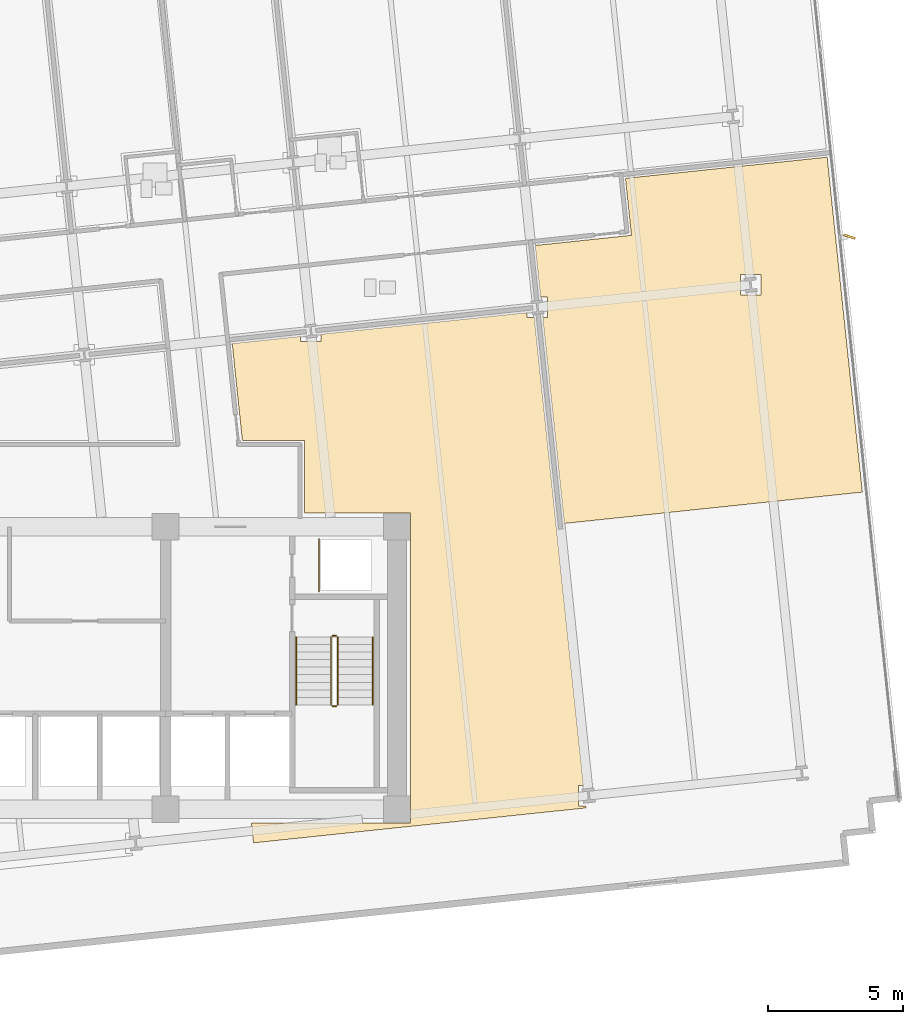
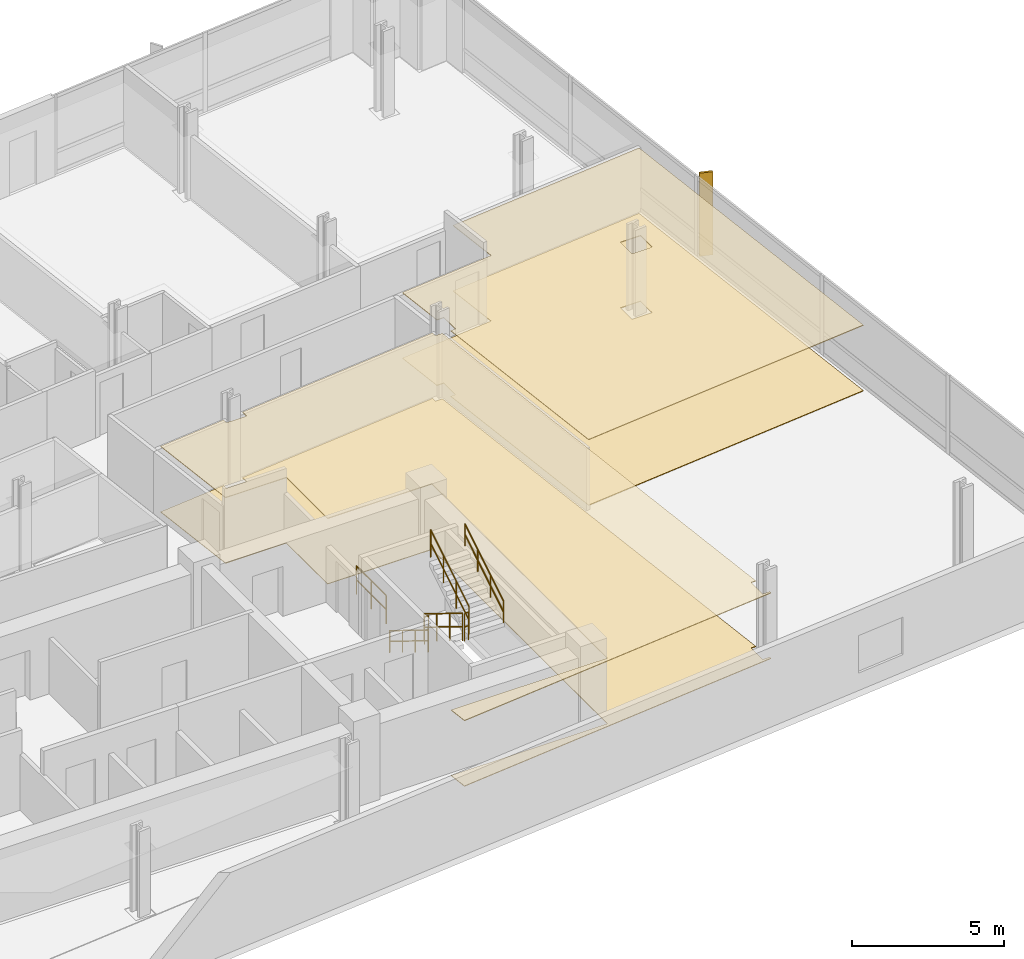
# One storey, part 15 of 17: 7 railings, 4 coverings, 1 shading device.
"""IFC4 building model written with IfcOpenShell, lengths in metres."""

from ifc_helpers import new_model, si_unit, direction, frame, origin, origin_2d, place, context, subcontext, project, spatial, polyline, rectangle, circle, outline, extrude, material, layer, layer_set, type_object, element, save


model = new_model("IFC4")

# Units and contexts
model_context = context("Model", 3, precision=1e-05, world=origin(), true_north=direction((0.0, 1.0)))
body_context = subcontext(model_context, "Body", "Model", "MODEL_VIEW")
ifc_project = project(units=[si_unit("LENGTHUNIT", "METRE"), si_unit("AREAUNIT", "SQUARE_METRE"), si_unit("VOLUMEUNIT", "CUBIC_METRE"), si_unit("PLANEANGLEUNIT", "RADIAN"), si_unit("MASSUNIT", "GRAM", prefix="KILO")], contexts=[model_context])

# Site, building, storey
site_placement = place(None, origin())
site = spatial("IfcSite", under=ifc_project, at=site_placement, CompositionType="ELEMENT")
building_placement = place(site_placement, origin())
building = spatial("IfcBuilding", under=site, at=building_placement, Name="Solmavex Isthmus Hotel", CompositionType="ELEMENT")
storey_placement = place(building_placement, frame((0.0, 0.0, 116.699951171875)))
storey = spatial("IfcBuildingStorey", under=building, at=storey_placement, Name="L31", CompositionType="ELEMENT", Elevation=116.699951171875)

# Coverings
ifc_material_1 = material(Name="Gypsum plasterboard lining", Category="gypsum")
ifc_layer_1 = layer(ifc_material_1, 0.030029296875)
ifc_layer_set_1 = layer_set([ifc_layer_1], Name="Gypsum plasterboard lining")
covering_type_1 = type_object("IfcCoveringType", Name="COV-CEIL-GYP", PredefinedType="CEILING", material=ifc_layer_set_1)
covering_1_placement = place(storey_placement, frame((0.0, 0.0, 2.6201171875)))
element("IfcCovering", 1, at=covering_1_placement, inside=storey, type_object=covering_type_1, Name="Suspended Acoustic Ceiling L31-FL14", PredefinedType="CEILING", context=body_context, shape_type="SweptSolid", body=[
    extrude(outline(polyline([(21.335693359375, 6.038330078125), (21.599609375, 6.038330078125), (21.599609375, 5.2783203125), (21.41552734375, 5.2783203125), (22.219970703125, -2.3759765625), (33.297119140625, -1.2119140625), (32.450927734375, 6.8388671875), (31.98828125, 11.239501953125), (24.49169921875, 10.45166015625), (24.71435546875, 8.333251953125), (21.134033203125, 7.95703125), (21.335693359375, 6.038330078125)]), holes=[polyline([(28.76416015625, 6.111328125), (28.76416015625, 6.871337890625), (29.524169921875, 6.871337890625), (29.524169921875, 6.111328125), (28.76416015625, 6.111328125)])]), origin(), (0.0, 0.0, 1.0), 0.030029296875),
])
covering_2_placement = place(storey_placement, frame((0.0, 0.0, 2.6201171875)))
element("IfcCovering", 2, at=covering_2_placement, inside=storey, type_object=covering_type_1, Name="Suspended Acoustic Ceiling L31-FL15", PredefinedType="CEILING", context=body_context, shape_type="SweptSolid", body=[
    extrude(outline(polyline([(13.18017578125, 4.657470703125), (13.18017578125, 4.393310546875), (12.420166015625, 4.393310546875), (12.420166015625, 4.57763671875), (9.87451171875, 4.31005859375), (10.25341796875, 0.705078125), (12.554931640625, 0.705078125), (12.554931640625, -1.9951171875), (16.5048828125, -1.9951171875), (16.5048828125, -13.5048828125), (10.587646484375, -13.5048828125), (10.665771484375, -14.248779296875), (23.019775390625, -12.950439453125), (23.011474609375, -12.87158203125), (22.747314453125, -12.87158203125), (22.747314453125, -12.111572265625), (22.931640625, -12.111572265625), (21.103759765625, 5.2783203125), (20.83984375, 5.2783203125), (20.83984375, 5.462646484375), (13.18017578125, 4.657470703125)])), origin(), (0.0, 0.0, 1.0), 0.030029296875),
])
ifc_material_2 = material(Name="Travertine natural stone", Category="masonry")
ifc_layer_2 = layer(ifc_material_2, 0.02490234375)
ifc_layer_set_2 = layer_set([ifc_layer_2], Name="Travertine natural stone")
covering_type_2 = type_object("IfcCoveringType", Name="COV-FLOR-STN", PredefinedType="FLOORING", material=ifc_layer_set_2)
covering_3_placement = place(storey_placement, origin())
element("IfcCovering", 3, at=covering_3_placement, inside=storey, type_object=covering_type_2, Name="Stone and Timber Floor Finish L31-FL14", PredefinedType="FLOORING", context=body_context, shape_type="SweptSolid", body=[
    extrude(outline(polyline([(21.335693359375, 6.038330078125), (21.599609375, 6.038330078125), (21.599609375, 5.2783203125), (21.41552734375, 5.2783203125), (22.219970703125, -2.3759765625), (33.297119140625, -1.2119140625), (32.450927734375, 6.8388671875), (31.98828125, 11.239501953125), (24.49169921875, 10.45166015625), (24.71435546875, 8.333251953125), (21.134033203125, 7.95703125), (21.335693359375, 6.038330078125)]), holes=[polyline([(28.76416015625, 6.111328125), (28.76416015625, 6.871337890625), (29.524169921875, 6.871337890625), (29.524169921875, 6.111328125), (28.76416015625, 6.111328125)])]), origin(), (0.0, 0.0, 1.0), 0.025146484375),
])
covering_4_placement = place(storey_placement, origin())
element("IfcCovering", 4, at=covering_4_placement, inside=storey, type_object=covering_type_2, Name="Stone and Timber Floor Finish L31-FL15", PredefinedType="FLOORING", context=body_context, shape_type="SweptSolid", body=[
    extrude(outline(polyline([(13.18017578125, 4.657470703125), (13.18017578125, 4.393310546875), (12.420166015625, 4.393310546875), (12.420166015625, 4.57763671875), (9.87451171875, 4.31005859375), (10.25341796875, 0.705078125), (12.554931640625, 0.705078125), (12.554931640625, -1.9951171875), (16.5048828125, -1.9951171875), (16.5048828125, -13.5048828125), (10.587646484375, -13.5048828125), (10.665771484375, -14.248779296875), (23.019775390625, -12.950439453125), (23.011474609375, -12.87158203125), (22.747314453125, -12.87158203125), (22.747314453125, -12.111572265625), (22.931640625, -12.111572265625), (21.103759765625, 5.2783203125), (20.83984375, 5.2783203125), (20.83984375, 5.462646484375), (13.18017578125, 4.657470703125)])), origin(), (0.0, 0.0, 1.0), 0.025146484375),
])

# Railings
ifc_material_3 = material(Name="Clear low-E laminated glass", Category="glass")
ifc_layer_3 = layer(ifc_material_3, 0.080078125)
ifc_layer_set_3 = layer_set([ifc_layer_3], Name="Clear low-E laminated glass")
railing_type_1 = type_object("IfcRailingType", Name="RAIL-ATRIUM-1120", PredefinedType="BALUSTRADE", material=ifc_layer_set_3)
railing_1_placement = place(storey_placement, frame((13.10009765625, -4.89990234375, 0.0)))
element("IfcRailing", 5, at=railing_1_placement, inside=storey, type_object=railing_type_1, Name="Guardrail Balustrade L31-RSE-01", PredefinedType="BALUSTRADE", context=body_context, shape_type="SweptSolid", body=[
    extrude(circle(Radius=0.02392578125, at=origin_2d()), frame((0.0, 0.0, 1.1259765625), z_axis=(0.0, 1.0, 0.0), x_axis=(-1.0, 0.0, 0.0)), (0.0, 0.0, 1.0), 1.949951171875),
    extrude(circle(Radius=0.02392578125, at=origin_2d()), frame((0.0, 0.0, 0.574951171875), z_axis=(0.0, 1.0, 0.0), x_axis=(-1.0, 0.0, 0.0)), (0.0, 0.0, 1.0), 1.949951171875),
    extrude(circle(Radius=0.02099609375, at=origin_2d()), origin(), (0.0, 0.0, 1.0), 1.101806640625),
    extrude(circle(Radius=0.02099609375, at=origin_2d()), frame((0.0, 0.97509765625, 0.0)), (0.0, 0.0, 1.0), 1.101806640625),
    extrude(circle(Radius=0.02099609375, at=origin_2d()), frame((0.0, 1.949951171875, 0.0)), (0.0, 0.0, 1.0), 1.101806640625),
])
ifc_material_4 = material(Name="Stainless steel 316", Category="steel")
ifc_layer_4 = layer(ifc_material_4, 0.06005859375)
ifc_layer_set_4 = layer_set([ifc_layer_4], Name="Stainless steel 316")
railing_type_2 = type_object("IfcRailingType", Name="RAIL-STAIR-GD", PredefinedType="GUARDRAIL", material=ifc_layer_set_4)
railing_2_placement = place(storey_placement, frame((13.550048828125, -6.60009765625, 0.172607421875)))
element("IfcRailing", 6, at=railing_2_placement, inside=storey, type_object=railing_type_2, Name="L31 ST-2 stair guard 1", PredefinedType="GUARDRAIL", context=body_context, shape_type="SweptSolid", body=[
    extrude(circle(Radius=0.02392578125, at=origin_2d()), frame((0.0, 0.0, 1.09619140625), z_axis=(0.0, -0.851400495292, 0.524516154772), x_axis=(1.0, 0.0, 0.0)), (0.0, 0.0, 1.0), 2.9599609375),
    extrude(circle(Radius=0.02392578125, at=origin_2d()), frame((0.0, 0.0, 0.56005859375), z_axis=(0.0, -0.851400495292, 0.524516154772), x_axis=(1.0, 0.0, 0.0)), (0.0, 0.0, 1.0), 2.9599609375),
    extrude(circle(Radius=0.02099609375, at=origin_2d()), origin(), (0.0, 0.0, 1.0), 1.072021484375),
    extrude(circle(Radius=0.02099609375, at=origin_2d()), frame((0.0, -0.840087890625, 0.517578125)), (0.0, 0.0, 1.0), 1.072021484375),
    extrude(circle(Radius=0.02099609375, at=origin_2d()), frame((0.0, -1.679931640625, 1.034912109375)), (0.0, 0.0, 1.0), 1.072021484375),
    extrude(circle(Radius=0.02099609375, at=origin_2d()), frame((0.0, -2.52001953125, 1.552490234375)), (0.0, 0.0, 1.0), 1.072021484375),
])
railing_3_placement = place(storey_placement, frame((13.60009765625, -9.169921875, 1.72509765625)))
element("IfcRailing", 7, at=railing_3_placement, inside=storey, type_object=railing_type_2, Name="L31 ST-2 stair guard 2", PredefinedType="GUARDRAIL", context=body_context, shape_type="SweptSolid", body=[
    extrude(circle(Radius=0.02392578125, at=origin_2d()), frame((0.0, 0.0, 1.09619140625), z_axis=(1.0, 0.0, 0.0), x_axis=(0.0, 1.0, 0.0)), (0.0, 0.0, 1.0), 0.14990234375),
    extrude(circle(Radius=0.02392578125, at=origin_2d()), frame((0.0, 0.0, 0.56005859375), z_axis=(1.0, 0.0, 0.0), x_axis=(0.0, 1.0, 0.0)), (0.0, 0.0, 1.0), 0.14990234375),
    extrude(circle(Radius=0.02099609375, at=origin_2d()), origin(), (0.0, 0.0, 1.0), 1.072021484375),
    extrude(circle(Radius=0.02099609375, at=origin_2d()), frame((0.14990234375, 0.0, 0.0)), (0.0, 0.0, 1.0), 1.072021484375),
])
railing_4_placement = place(storey_placement, frame((13.800048828125, -9.1201171875, 1.8974609375)))
element("IfcRailing", 8, at=railing_4_placement, inside=storey, type_object=railing_type_2, Name="L31 ST-2 stair guard 3", PredefinedType="GUARDRAIL", context=body_context, shape_type="SweptSolid", body=[
    extrude(circle(Radius=0.02392578125, at=origin_2d()), frame((0.0, 0.0, 1.09619140625), z_axis=(0.0, 0.851400495292, 0.524516154772), x_axis=(-1.0, 0.0, 0.0)), (0.0, 0.0, 1.0), 2.9599609375),
    extrude(circle(Radius=0.02392578125, at=origin_2d()), frame((0.0, 0.0, 0.56005859375), z_axis=(0.0, 0.851400495292, 0.524516154772), x_axis=(-1.0, 0.0, 0.0)), (0.0, 0.0, 1.0), 2.9599609375),
    extrude(circle(Radius=0.02099609375, at=origin_2d()), origin(), (0.0, 0.0, 1.0), 1.072021484375),
    extrude(circle(Radius=0.02099609375, at=origin_2d()), frame((0.0, 0.840087890625, 0.517578125)), (0.0, 0.0, 1.0), 1.072021484375),
    extrude(circle(Radius=0.02099609375, at=origin_2d()), frame((0.0, 1.679931640625, 1.034912109375)), (0.0, 0.0, 1.0), 1.072021484375),
    extrude(circle(Radius=0.02099609375, at=origin_2d()), frame((0.0, 2.52001953125, 1.552490234375)), (0.0, 0.0, 1.0), 1.072021484375),
])
railing_5_placement = place(storey_placement, frame((13.60009765625, -6.550048828125, 0.0)))
element("IfcRailing", 9, at=railing_5_placement, inside=storey, type_object=railing_type_2, Name="L31 ST-2 stair guard 4", PredefinedType="GUARDRAIL", context=body_context, shape_type="SweptSolid", body=[
    extrude(circle(Radius=0.02392578125, at=origin_2d()), frame((0.0, 0.0, 1.09619140625), z_axis=(1.0, 0.0, 0.0), x_axis=(0.0, 1.0, 0.0)), (0.0, 0.0, 1.0), 0.14990234375),
    extrude(circle(Radius=0.02392578125, at=origin_2d()), frame((0.0, 0.0, 0.56005859375), z_axis=(1.0, 0.0, 0.0), x_axis=(0.0, 1.0, 0.0)), (0.0, 0.0, 1.0), 0.14990234375),
    extrude(circle(Radius=0.02099609375, at=origin_2d()), origin(), (0.0, 0.0, 1.0), 1.072021484375),
    extrude(circle(Radius=0.02099609375, at=origin_2d()), frame((0.14990234375, 0.0, 0.0)), (0.0, 0.0, 1.0), 1.072021484375),
])
ifc_layer_5 = layer(ifc_material_4, 0.050048828125)
ifc_layer_set_5 = layer_set([ifc_layer_5], Name="Stainless steel 316")
railing_type_3 = type_object("IfcRailingType", Name="RAIL-STAIR-HR", PredefinedType="HANDRAIL", material=ifc_layer_set_5)
railing_6_placement = place(storey_placement, frame((12.25, -6.60009765625, 0.172607421875)))
element("IfcRailing", 10, at=railing_6_placement, inside=storey, type_object=railing_type_3, Name="L31 ST-2 stair handrail 1", PredefinedType="HANDRAIL", context=body_context, shape_type="SweptSolid", body=[
    extrude(circle(Radius=0.02392578125, at=origin_2d()), frame((0.0, 0.0, 0.8759765625), z_axis=(0.0, -0.851400495292, 0.524516154772), x_axis=(1.0, 0.0, 0.0)), (0.0, 0.0, 1.0), 2.9599609375),
    extrude(circle(Radius=0.02392578125, at=origin_2d()), frame((0.0, 0.0, 0.449951171875), z_axis=(0.0, -0.851400495292, 0.524516154772), x_axis=(1.0, 0.0, 0.0)), (0.0, 0.0, 1.0), 2.9599609375),
    extrude(circle(Radius=0.02099609375, at=origin_2d()), origin(), (0.0, 0.0, 1.0), 0.851806640625),
    extrude(circle(Radius=0.02099609375, at=origin_2d()), frame((0.0, -0.840087890625, 0.517578125)), (0.0, 0.0, 1.0), 0.851806640625),
    extrude(circle(Radius=0.02099609375, at=origin_2d()), frame((0.0, -1.679931640625, 1.034912109375)), (0.0, 0.0, 1.0), 0.851806640625),
    extrude(circle(Radius=0.02099609375, at=origin_2d()), frame((0.0, -2.52001953125, 1.552490234375)), (0.0, 0.0, 1.0), 0.851806640625),
])
railing_7_placement = place(storey_placement, frame((15.10009765625, -9.1201171875, 1.8974609375)))
element("IfcRailing", 11, at=railing_7_placement, inside=storey, type_object=railing_type_3, Name="L31 ST-2 stair handrail 2", PredefinedType="HANDRAIL", context=body_context, shape_type="SweptSolid", body=[
    extrude(circle(Radius=0.02392578125, at=origin_2d()), frame((0.0, 0.0, 0.8759765625), z_axis=(0.0, 0.851400495292, 0.524516154772), x_axis=(-1.0, 0.0, 0.0)), (0.0, 0.0, 1.0), 2.9599609375),
    extrude(circle(Radius=0.02392578125, at=origin_2d()), frame((0.0, 0.0, 0.449951171875), z_axis=(0.0, 0.851400495292, 0.524516154772), x_axis=(-1.0, 0.0, 0.0)), (0.0, 0.0, 1.0), 2.9599609375),
    extrude(circle(Radius=0.02099609375, at=origin_2d()), origin(), (0.0, 0.0, 1.0), 0.851806640625),
    extrude(circle(Radius=0.02099609375, at=origin_2d()), frame((0.0, 0.840087890625, 0.517578125)), (0.0, 0.0, 1.0), 0.851806640625),
    extrude(circle(Radius=0.02099609375, at=origin_2d()), frame((0.0, 1.679931640625, 1.034912109375)), (0.0, 0.0, 1.0), 0.851806640625),
    extrude(circle(Radius=0.02099609375, at=origin_2d()), frame((0.0, 2.52001953125, 1.552490234375)), (0.0, 0.0, 1.0), 0.851806640625),
])

# Shading device
ifc_material_5 = material(Name="Aluminium alloy 6063-T6", Category="aluminium")
shading_device_type = type_object("IfcShadingDeviceType", Name="SHD-FIN-BRONZE", PredefinedType="USERDEFINED", material=ifc_material_5)
shading_device_placement = place(storey_placement, frame((32.816650390625, 8.284912109375, -0.139892578125), z_axis=(0.0, 0.0, 1.0), x_axis=(0.951056516295, -0.309016994375, 0.0)))
element("IfcShadingDevice", 12, at=shading_device_placement, inside=storey, type_object=shading_device_type, Name="Anodised Aluminium Solar Fin L31-E1", ObjectType="SOLAR_FIN", PredefinedType="USERDEFINED", context=body_context, shape_type="SweptSolid", body=[
    extrude(rectangle(XDim=0.449951171875, YDim=0.080078125, at=origin_2d()), origin(), (0.0, 0.0, 1.0), 3.330078125),
])

save(model, "model.ifc")
